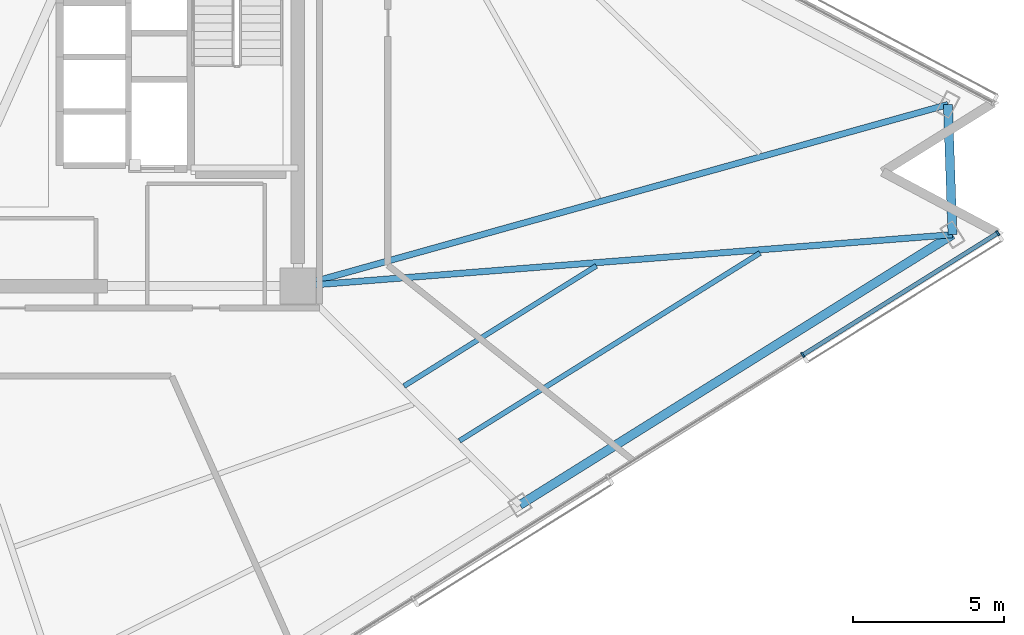
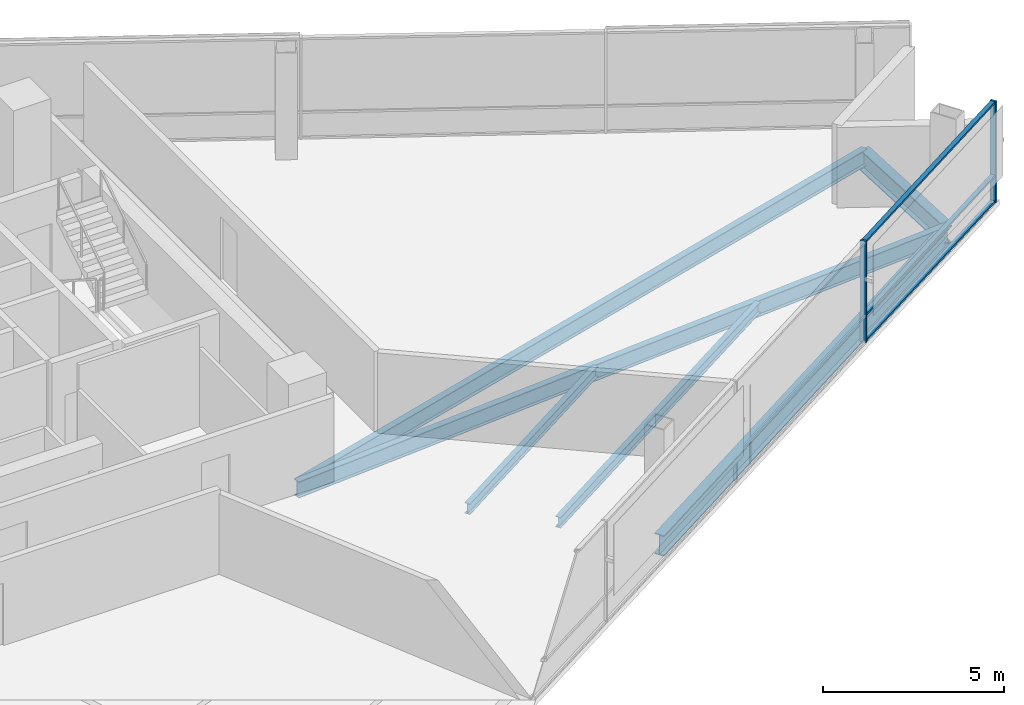
# One storey, part 6 of 18: 6 beams, 5 members, 1 element without a shape of its own.
"""IFC4 building model written with IfcOpenShell, lengths in metres."""

from ifc_helpers import new_model, si_unit, direction, frame, origin, origin_2d, place, context, subcontext, project, spatial, rectangle, i_section, extrude, material, layer, layer_set, material_profile, profile_set, type_object, element, aggregate, save


model = new_model("IFC4")

# Units and contexts
model_context = context("Model", 3, precision=1e-05, world=origin(), true_north=direction((0.0, 1.0)))
body_context = subcontext(model_context, "Body", "Model", "MODEL_VIEW")
ifc_project = project(units=[si_unit("LENGTHUNIT", "METRE"), si_unit("AREAUNIT", "SQUARE_METRE"), si_unit("VOLUMEUNIT", "CUBIC_METRE"), si_unit("PLANEANGLEUNIT", "RADIAN"), si_unit("MASSUNIT", "GRAM", prefix="KILO")], contexts=[model_context])

# Site, building, storey
site_placement = place(None, origin())
site = spatial("IfcSite", under=ifc_project, at=site_placement, CompositionType="ELEMENT")
building_placement = place(site_placement, origin())
building = spatial("IfcBuilding", under=site, at=building_placement, Name="Tharavind Bronze Gate", CompositionType="ELEMENT")
storey_placement = place(building_placement, frame((0.0, 0.0, 153.199951171875)))
storey = spatial("IfcBuildingStorey", under=building, at=storey_placement, Name="L39", CompositionType="ELEMENT", Elevation=153.199951171875)

# Curtain wall, members
ifc_material_1 = material(Name="Anodised Bronze Aluminium", Category="aluminium")
ifc_layer = layer(ifc_material_1, 0.219970703125)
ifc_layer_set = layer_set([ifc_layer], Name="Anodised Bronze Aluminium")
curtain_wall_type = type_object("IfcCurtainWallType", Name="UNITISED CURTAIN WALL MID OFFICE", PredefinedType="USERDEFINED", material=ifc_layer_set)
curtain_wall_placement = place(storey_placement, origin())
curtain_wall = element("IfcCurtainWall", 1, at=curtain_wall_placement, inside=storey, type_object=curtain_wall_type, Name="L39 unitised curtain wall mid office CW-L39-S2", ObjectType="UNITISED CURTAIN WALL", PredefinedType="USERDEFINED")
member_type_1 = type_object("IfcMemberType", Name="CURTAIN WALL BRONZE MULLION 65X180", PredefinedType="MULLION", material=ifc_material_1)
member_1_placement = place(storey_placement, frame((25.649169921875, -9.8798828125, 0.0), z_axis=(0.0, 0.0, 1.0), x_axis=(0.848048096156, 0.529919264233, 0.0)))
member_1 = element("IfcMember", 2, at=member_1_placement, type_object=member_type_1, Name="CW-L39-S2 mullion 7", PredefinedType="MULLION", context=body_context, shape_type="SweptSolid", body=[
    extrude(rectangle(XDim=0.06494140625, YDim=0.179931640625, at=origin_2d()), origin(), (0.0, 0.0, 1.0), 3.409912109375),
])
member_2_placement = place(storey_placement, frame((32.114501953125, -5.83984375, 0.0), z_axis=(0.0, 0.0, 1.0), x_axis=(0.848048096156, 0.529919264233, 0.0)))
member_2 = element("IfcMember", 3, at=member_2_placement, type_object=member_type_1, Name="CW-L39-S2 mullion 8", PredefinedType="MULLION", context=body_context, shape_type="SweptSolid", body=[
    extrude(rectangle(XDim=0.06494140625, YDim=0.179931640625, at=origin_2d()), origin(), (0.0, 0.0, 1.0), 3.409912109375),
])
member_type_2 = type_object("IfcMemberType", Name="CURTAIN WALL BRONZE TRANSOM 65X140", PredefinedType="USERDEFINED", material=ifc_material_1)
member_3_placement = place(storey_placement, frame((28.8818359375, -7.85986328125, 0.0), z_axis=(0.0, 0.0, 1.0), x_axis=(0.848048096156, 0.529919264233, 0.0)))
member_3 = element("IfcMember", 4, at=member_3_placement, type_object=member_type_2, Name="CW-L39-S2 transom TB7", ObjectType="TRANSOM", PredefinedType="USERDEFINED", context=body_context, shape_type="SweptSolid", body=[
    extrude(rectangle(XDim=7.57080078125, YDim=0.139892578125, at=origin_2d()), origin(), (0.0, 0.0, 1.0), 0.06494140625),
])
member_4_placement = place(storey_placement, frame((28.8818359375, -7.85986328125, 0.86767578125), z_axis=(0.0, 0.0, 1.0), x_axis=(0.848048096156, 0.529919264233, 0.0)))
member_4 = element("IfcMember", 5, at=member_4_placement, type_object=member_type_2, Name="CW-L39-S2 transom TS7", ObjectType="TRANSOM", PredefinedType="USERDEFINED", context=body_context, shape_type="SweptSolid", body=[
    extrude(rectangle(XDim=7.57080078125, YDim=0.139892578125, at=origin_2d()), origin(), (0.0, 0.0, 1.0), 0.06494140625),
])
member_5_placement = place(storey_placement, frame((28.8818359375, -7.85986328125, 3.344970703125), z_axis=(0.0, 0.0, 1.0), x_axis=(0.848048096156, 0.529919264233, 0.0)))
member_5 = element("IfcMember", 6, at=member_5_placement, type_object=member_type_2, Name="CW-L39-S2 transom TT7", ObjectType="TRANSOM", PredefinedType="USERDEFINED", context=body_context, shape_type="SweptSolid", body=[
    extrude(rectangle(XDim=7.57080078125, YDim=0.139892578125, at=origin_2d()), origin(), (0.0, 0.0, 1.0), 0.06494140625),
])
aggregate(curtain_wall, [member_1, member_2, member_3, member_4, member_5])

# Beams
ifc_material_2 = material(Name="Steel S355", Category="steel")
ifc_material_profile_1 = material_profile(ifc_material_2, i_section(OverallWidth=0.2099609375, OverallDepth=0.550048828125, WebThickness=0.010986328125, FlangeThickness=0.01708984375, at=origin_2d()), Name="IPE550")
ifc_profile_set_1 = profile_set([ifc_material_profile_1], Name="Steel S355")
beam_type_1 = type_object("IfcBeamType", Name="PRIMARY GIRDER IPE550", PredefinedType="USERDEFINED", material=ifc_profile_set_1)
beam_1_placement = place(storey_placement, frame((30.615478515625, -5.89208984375, -0.46484375), z_axis=(-0.996921085332, -0.07841141256, 0.0), x_axis=(0.07841141256, -0.996921085332, 0.0)))
element("IfcBeam", 7, at=beam_1_placement, inside=storey, type_object=beam_type_1, Name="L39 primary girder ipe550 BM-L39-RAD08", ObjectType="GIRDER", PredefinedType="USERDEFINED", context=body_context, shape_type="SweptSolid", body=[
    extrude(i_section(OverallWidth=0.2099609375, OverallDepth=0.550048828125, WebThickness=0.010986328125, FlangeThickness=0.01708984375, at=origin_2d()), origin(), (0.0, 0.0, 1.0), 21.78271484375),
])
beam_2_placement = place(storey_placement, frame((30.46484375, -1.57470703125, -0.46484375), z_axis=(-0.96311222074, -0.269100074809, 0.0), x_axis=(0.269100074809, -0.96311222074, 0.0)))
element("IfcBeam", 8, at=beam_2_placement, inside=storey, type_object=beam_type_1, Name="L39 primary girder ipe550 BM-L39-RAD09", ObjectType="GIRDER", PredefinedType="USERDEFINED", context=body_context, shape_type="SweptSolid", body=[
    extrude(i_section(OverallWidth=0.2099609375, OverallDepth=0.550048828125, WebThickness=0.010986328125, FlangeThickness=0.01708984375, at=origin_2d()), origin(), (0.0, 0.0, 1.0), 22.390869140625),
])
ifc_material_profile_2 = material_profile(ifc_material_2, i_section(OverallWidth=0.300048828125, OverallDepth=0.699951171875, WebThickness=0.01708984375, FlangeThickness=0.031982421875, at=origin_2d()), Name="HE700B")
ifc_profile_set_2 = profile_set([ifc_material_profile_2], Name="Steel S355")
beam_type_2 = type_object("IfcBeamType", Name="RING GIRDER HE700B", PredefinedType="USERDEFINED", material=ifc_profile_set_2)
beam_3_placement = place(storey_placement, frame((16.263916015625, -14.860107421875, -0.5400390625), z_axis=(0.84804368744, 0.529926319589, 0.0), x_axis=(-0.529926319589, 0.84804368744, 0.0)))
element("IfcBeam", 9, at=beam_3_placement, inside=storey, type_object=beam_type_2, Name="L39 ring girder he700b BM-L39-PRG07", ObjectType="GIRDER", PredefinedType="USERDEFINED", context=body_context, shape_type="SweptSolid", body=[
    extrude(i_section(OverallWidth=0.300048828125, OverallDepth=0.699951171875, WebThickness=0.01708984375, FlangeThickness=0.031982421875, at=origin_2d()), origin(), (0.0, 0.0, 1.0), 16.923095703125),
])
beam_4_placement = place(storey_placement, frame((30.615478515625, -5.89208984375, -0.5400390625), z_axis=(-0.034869079132, 0.999391888761, 0.0), x_axis=(-0.999391888761, -0.034869079132, 0.0)))
element("IfcBeam", 10, at=beam_4_placement, inside=storey, type_object=beam_type_2, Name="L39 ring girder he700b BM-L39-PRG08", ObjectType="GIRDER", PredefinedType="USERDEFINED", context=body_context, shape_type="SweptSolid", body=[
    extrude(i_section(OverallWidth=0.300048828125, OverallDepth=0.699951171875, WebThickness=0.01708984375, FlangeThickness=0.031982421875, at=origin_2d()), origin(), (0.0, 0.0, 1.0), 4.320068359375),
])
ifc_material_profile_3 = material_profile(ifc_material_2, i_section(OverallWidth=0.169921875, OverallDepth=0.360107421875, WebThickness=0.008056640625, FlangeThickness=0.0126953125, at=origin_2d()), Name="IPE360")
ifc_profile_set_3 = profile_set([ifc_material_profile_3], Name="Steel S355")
beam_type_3 = type_object("IfcBeamType", Name="SECONDARY FLOOR JOIST IPE360", PredefinedType="JOIST", material=ifc_profile_set_3)
beam_5_placement = place(storey_placement, frame((12.419189453125, -10.91650390625, -0.369873046875), z_axis=(0.848052974069, 0.529911457862, 0.0), x_axis=(-0.529911457862, 0.848052974069, 0.0)))
element("IfcBeam", 11, at=beam_5_placement, inside=storey, type_object=beam_type_3, Name="L39 secondary floor joist ipe360 BM-L39-JSTA07", PredefinedType="JOIST", context=body_context, shape_type="SweptSolid", body=[
    extrude(i_section(OverallWidth=0.169921875, OverallDepth=0.360107421875, WebThickness=0.008056640625, FlangeThickness=0.0126953125, at=origin_2d()), origin(), (0.0, 0.0, 1.0), 7.52587890625),
])
beam_6_placement = place(storey_placement, frame((14.260009765625, -12.731689453125, -0.369873046875), z_axis=(0.848048464422, 0.529918674884, 0.0), x_axis=(-0.529918674884, 0.848048464422, 0.0)))
element("IfcBeam", 12, at=beam_6_placement, inside=storey, type_object=beam_type_3, Name="L39 secondary floor joist ipe360 BM-L39-JSTB07", PredefinedType="JOIST", context=body_context, shape_type="SweptSolid", body=[
    extrude(i_section(OverallWidth=0.169921875, OverallDepth=0.360107421875, WebThickness=0.008056640625, FlangeThickness=0.0126953125, at=origin_2d()), origin(), (0.0, 0.0, 1.0), 11.7568359375),
])

save(model, "model.ifc")
